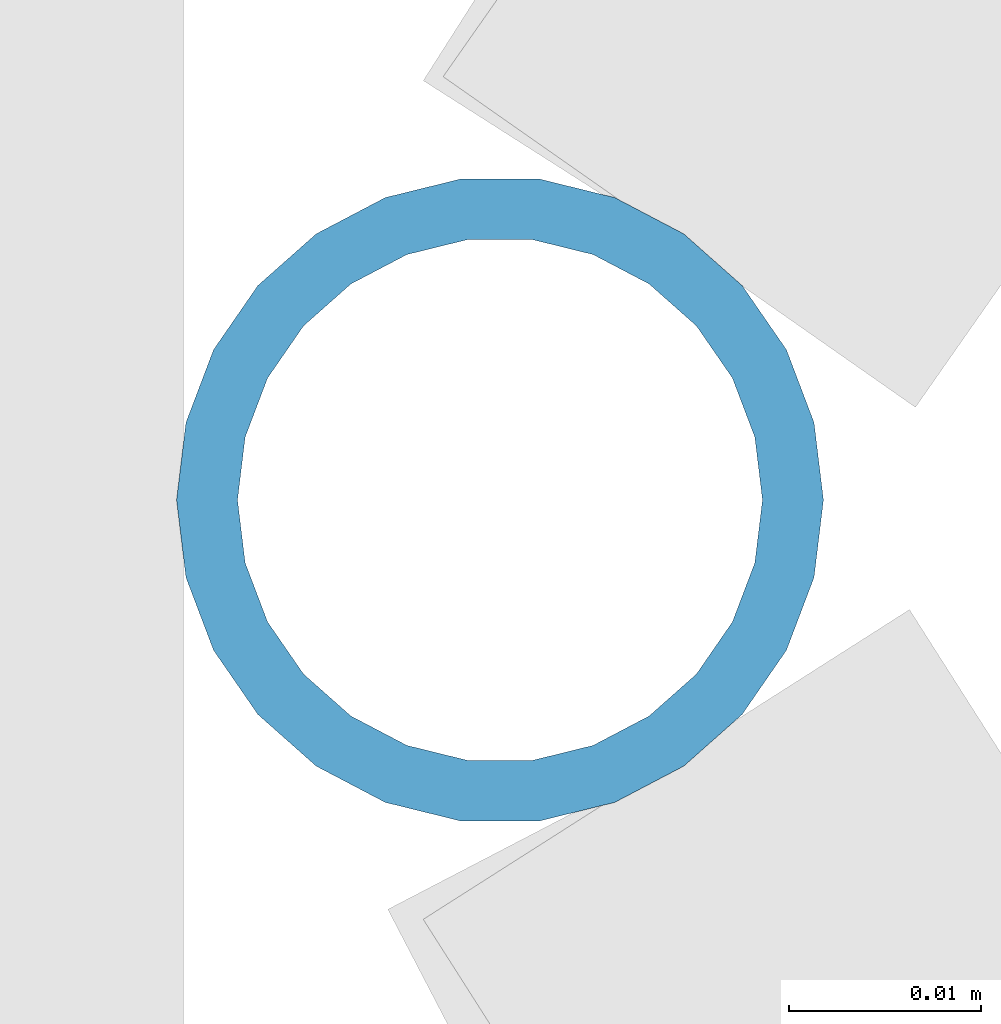
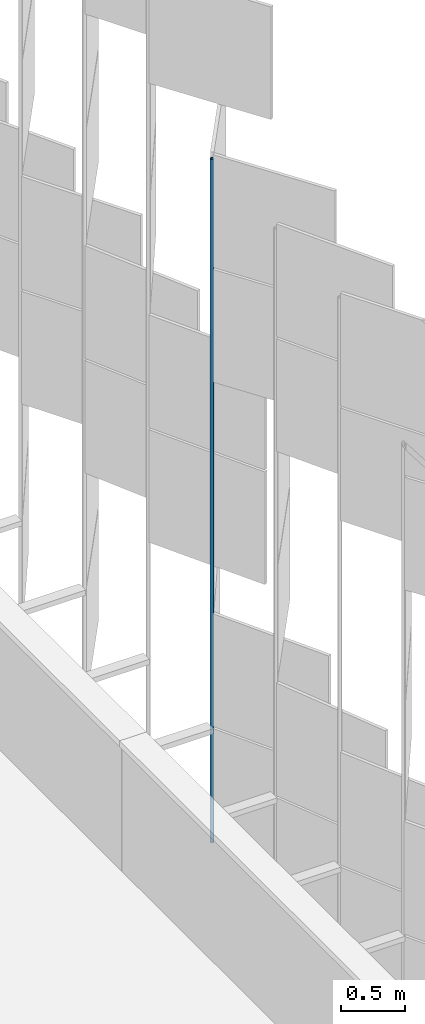
# One storey, part 279 of 483: 1 discrete accessory.
"""IFC4 building model written with IfcOpenShell, lengths in metres."""

import ifcopenshell
import ifcopenshell.guid

model = None  # the IFC model being written
_history = None  # IfcOwnerHistory: only IFC2X3 demands one
_inside = {}  # id of a spatial element -> (the spatial element, [elements in it])
_under = {}  # id of a project, library or spatial element -> (it, [spatial elements below it])
_declared = {}  # id of a project -> (the project, [libraries it declares])
_typed = {}  # id of a type object -> (the type object, [elements of that type])
_made_of = {}  # id of a material, layer set ... -> (it, [elements and type objects made of it])


def new_model(schema):
    """Start an empty IFC model of exactly this schema.

    Asked for "IFC4X3", IfcOpenShell would pick the latest addendum, in which some entities
    have other attributes; the version numbers below select the first issue.
    IFC2X3 requires an IfcOwnerHistory on every rooted entity: one is made here for all.
    """
    global model, _history
    if schema == "IFC4X3":
        model = ifcopenshell.file(schema_version=(4, 3, 0, 0))
    else:
        model = ifcopenshell.file(schema=schema)
    _inside.clear()
    _under.clear()
    _declared.clear()
    _typed.clear()
    _made_of.clear()
    _history = None
    if model.schema == "IFC2X3":
        org = make("IfcOrganization", Name="unknown")
        user = make(
            "IfcPersonAndOrganization",
            ThePerson=make("IfcPerson", FamilyName="unknown"),
            TheOrganization=org,
        )
        app = make(
            "IfcApplication",
            ApplicationDeveloper=org,
            Version="unknown",
            ApplicationFullName="unknown",
            ApplicationIdentifier="unknown",
        )
        _history = make(
            "IfcOwnerHistory",
            OwningUser=user,
            OwningApplication=app,
            ChangeAction="ADDED",
            CreationDate=0,
        )
    return model


def make(cls, **values):
    """One entity of the class cls with the attributes given. An attribute that is None is left unset."""
    return model.create_entity(
        cls, **{name: value for name, value in values.items() if value is not None}
    )


def rooted(cls, **values):
    """An entity with a GlobalId (a new one), such as an element, a storey or a relation."""
    return make(cls, GlobalId=ifcopenshell.guid.new(), OwnerHistory=_history, **values)


def si_unit(unit_type, name, prefix=None):
    """IfcSIUnit, for example si_unit("LENGTHUNIT", "METRE", prefix="MILLI")."""
    return make("IfcSIUnit", UnitType=unit_type, Prefix=prefix, Name=name)


def assignment(units):
    """IfcUnitAssignment: the units of a project."""
    return None if units is None else make("IfcUnitAssignment", Units=units)


def point(xyz):
    """IfcCartesianPoint."""
    return None if xyz is None else make("IfcCartesianPoint", Coordinates=xyz)


def direction(xyz):
    """IfcDirection."""
    return None if xyz is None else make("IfcDirection", DirectionRatios=xyz)


def frame(location, z_axis=None, x_axis=None):
    """IfcAxis2Placement3D, a coordinate frame: its origin and axes. An axis left out is left unset."""
    return make(
        "IfcAxis2Placement3D",
        Location=point(location),
        Axis=direction(z_axis),
        RefDirection=direction(x_axis),
    )


def frame_2d(location, x_axis=None):
    """IfcAxis2Placement2D, a coordinate frame in the plane: its origin and x axis."""
    return make(
        "IfcAxis2Placement2D", Location=point(location), RefDirection=direction(x_axis)
    )


def origin():
    """The frame at (0, 0, 0) with its axes left unset."""
    return frame((0.0, 0.0, 0.0))


def origin_2d():
    """The frame at (0, 0) in the plane with its x axis left unset."""
    return frame_2d((0.0, 0.0))


def place(relative_to, where):
    """IfcLocalPlacement: puts the frame where relative to a parent placement (None: the world)."""
    return make(
        "IfcLocalPlacement", PlacementRelTo=relative_to, RelativePlacement=where
    )


def context(
    kind, dimensions, precision=None, world=None, true_north=None, identifier=None
):
    """IfcGeometricRepresentationContext, for example the 3D "Model" context."""
    return make(
        "IfcGeometricRepresentationContext",
        ContextIdentifier=identifier,
        ContextType=kind,
        CoordinateSpaceDimension=dimensions,
        Precision=precision,
        WorldCoordinateSystem=world,
        TrueNorth=true_north,
    )


def subcontext(parent, identifier, kind, view, scale=None):
    """IfcGeometricRepresentationSubContext, for example "Body" below "Model"."""
    return make(
        "IfcGeometricRepresentationSubContext",
        ContextIdentifier=identifier,
        ContextType=kind,
        ParentContext=parent,
        TargetScale=scale,
        TargetView=view,
    )


def project(units=None, contexts=None):
    """IfcProject with its units and contexts."""
    return rooted(
        "IfcProject",
        Name="project",
        RepresentationContexts=contexts,
        UnitsInContext=assignment(units),
    )


def spatial(cls, under=None, at=None, **own):
    """A site, building, storey or space (cls), placed at a placement, below another one or the project."""
    s = rooted(cls, ObjectPlacement=at, **own)
    if under is not None:
        _under.setdefault(under.id(), (under, []))[1].append(s)
    return s


def profile(cls, at=None, kind="AREA", **sizes):
    """A parametric profile (cls). Its sizes go by their IFC names, for example OverallWidth=200.0."""
    return make(cls, ProfileType=kind, Position=at, **sizes)


def hollow_circle(**sizes):
    """IfcCircleHollowProfileDef."""
    return profile("IfcCircleHollowProfileDef", **sizes)


def extrude(swept, where, along, depth):
    """IfcExtrudedAreaSolid: the profile swept, set in the frame where, extruded along a direction by depth."""
    return make(
        "IfcExtrudedAreaSolid",
        SweptArea=swept,
        Position=where,
        ExtrudedDirection=direction(along),
        Depth=depth,
    )


def shape(context_of_items, identifier, shape_type, items):
    """IfcShapeRepresentation: the items that make up one representation, for example the "Body"."""
    return make(
        "IfcShapeRepresentation",
        ContextOfItems=context_of_items,
        RepresentationIdentifier=identifier,
        RepresentationType=shape_type,
        Items=items,
    )


def material(Name=None, Category=None):
    """IfcMaterial."""
    return make("IfcMaterial", Name=Name, Category=Category)


def material_profile(
    of_material, cross_section, Name=None, Category=None, Priority=None
):
    """IfcMaterialProfile: a cross section and its material."""
    return make(
        "IfcMaterialProfile",
        Name=Name,
        Material=of_material,
        Profile=cross_section,
        Priority=Priority,
        Category=Category,
    )


def profile_set(profiles, Name=None, composite=None):
    """IfcMaterialProfileSet."""
    return make(
        "IfcMaterialProfileSet",
        Name=Name,
        MaterialProfiles=profiles,
        CompositeProfile=composite,
    )


def made_of(thing, what):
    """Note that an element or type object is made of a material, layer set ...; save() writes the relation."""
    if what is not None:
        _made_of.setdefault(what.id(), (what, []))[1].append(thing)
    return thing


def type_object(cls, material=None, **own):
    """A type object (cls), such as IfcWallType, which elements share."""
    return made_of(rooted(cls, **own), material)


def element(
    cls,
    number,
    at=None,
    inside=None,
    cuts=None,
    type_object=None,
    material=None,
    context=None,
    identifier="Body",
    shape_type=None,
    held_by="IfcProductDefinitionShape",
    body=None,
    shapes=None,
    **own,
):
    """One element of the class cls, such as IfcWall. Its Tag is "e" and its number.

    at: its placement. inside: the storey or other place that contains it. cuts: it is an
    opening in that element (IfcRelVoidsElement). A single representation is given by context,
    identifier, shape_type and body (its items); several are given by shapes. held_by: the class
    of the entity that holds the representations. save() writes the other relations.
    """
    e = rooted(cls, Tag="e%d" % number, ObjectPlacement=at, **own)
    if body is not None:
        shapes = [shape(context, identifier, shape_type, body)]
    if shapes is not None:
        e.Representation = make(held_by, Representations=shapes)
    if inside is not None:
        _inside.setdefault(inside.id(), (inside, []))[1].append(e)
    if cuts is not None:
        rooted(
            "IfcRelVoidsElement", RelatingBuildingElement=cuts, RelatedOpeningElement=e
        )
    if type_object is not None:
        _typed.setdefault(type_object.id(), (type_object, []))[1].append(e)
    return made_of(e, material)


def aggregate(whole, parts):
    """IfcRelAggregates: a whole, such as a stair, and the parts it consists of."""
    return rooted("IfcRelAggregates", RelatingObject=whole, RelatedObjects=parts)


def save(model, path):
    """Write the relations noted so far, then the file.

    IfcRelAggregates (storeys below a building ...), IfcRelContainedInSpatialStructure (elements
    in a storey), IfcRelDefinesByType, IfcRelAssociatesMaterial and IfcRelDeclares: one each for
    every whole, place, type object, material and project.
    """
    for whole, parts in _under.values():
        aggregate(whole, parts)
    for where, things in _inside.values():
        rooted(
            "IfcRelContainedInSpatialStructure",
            RelatedElements=things,
            RelatingStructure=where,
        )
    for kind, things in _typed.values():
        rooted("IfcRelDefinesByType", RelatedObjects=things, RelatingType=kind)
    for what, things in _made_of.values():
        rooted("IfcRelAssociatesMaterial", RelatedObjects=things, RelatingMaterial=what)
    for by, libraries in _declared.values():
        rooted("IfcRelDeclares", RelatingContext=by, RelatedDefinitions=libraries)
    model.write(path)


model = new_model("IFC4")

# Units and contexts
model_context = context("Model", 3, precision=1e-05, world=origin(), true_north=direction((0.0, 1.0)))
body_context = subcontext(model_context, "Body", "Model", "MODEL_VIEW")
ifc_project = project(units=[si_unit("LENGTHUNIT", "METRE"), si_unit("AREAUNIT", "SQUARE_METRE"), si_unit("VOLUMEUNIT", "CUBIC_METRE"), si_unit("PLANEANGLEUNIT", "RADIAN"), si_unit("MASSUNIT", "GRAM", prefix="KILO")], contexts=[model_context])

# Site, building, storey
site_placement = place(None, origin())
site = spatial("IfcSite", under=ifc_project, at=site_placement, CompositionType="ELEMENT")
building_placement = place(site_placement, origin())
building = spatial("IfcBuilding", under=site, at=building_placement, Name="Parallax Yard Mobility Hub", CompositionType="ELEMENT")
storey_placement = place(building_placement, frame((0.0, 0.0, 13.199951171875)))
storey = spatial("IfcBuildingStorey", under=building, at=storey_placement, Name="L04", CompositionType="ELEMENT", Elevation=13.199951171875)

# Discrete accessory
ifc_material = material(Name="Steel ASTM A500 Gr C, hot-dip galvanised", Category="steel")
ifc_material_profile = material_profile(ifc_material, hollow_circle(Radius=0.016845703125, WallThickness=0.003173828125, at=origin_2d()), Name="CHS 33.7x3.2")
ifc_profile_set = profile_set([ifc_material_profile], Name="Steel ASTM A500 Gr C, hot-dip galvanised")
discrete_accessory_type = type_object("IfcDiscreteAccessoryType", Name="Hinge post CHS 33.7x3.2", PredefinedType="BRACKET", material=ifc_profile_set)
discrete_accessory_placement = place(storey_placement, frame((225.5712890625, 82.500244140625, 0.0), z_axis=(0.0, 0.0, 1.0), x_axis=(1.0, 0.0, 0.0)))
element("IfcDiscreteAccessory", 1, at=discrete_accessory_placement, inside=storey, type_object=discrete_accessory_type, Name="Hinge post bay 40.1 level L04", PredefinedType="BRACKET", context=body_context, shape_type="SweptSolid", body=[
    extrude(hollow_circle(Radius=0.016845703125, WallThickness=0.003173828125, at=origin_2d()), origin(), (0.0, 0.0, 1.0), 6.550048828125),
])

save(model, "model.ifc")
